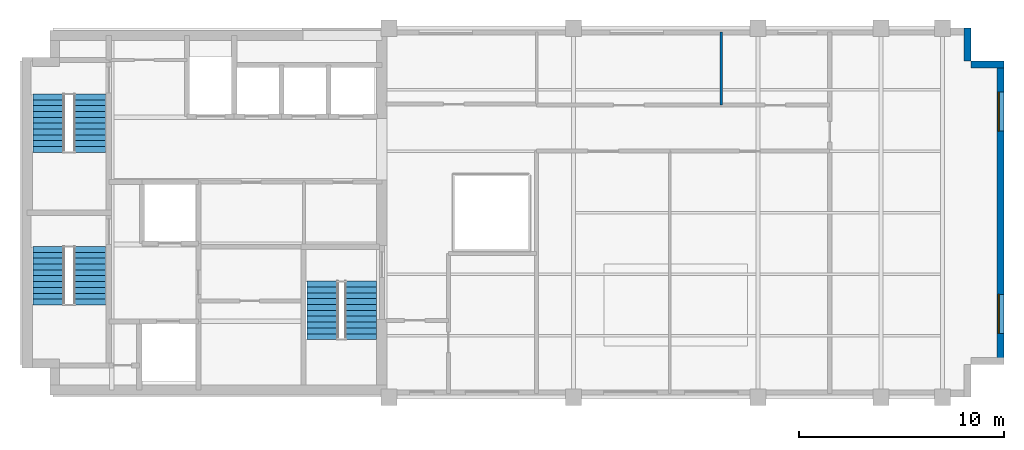
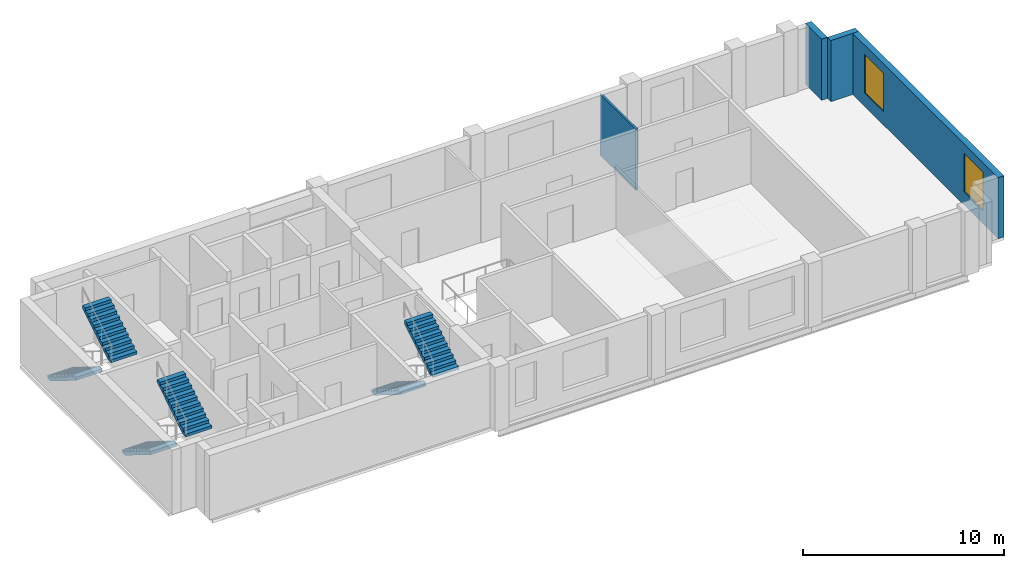
# One storey, part 4 of 5: 6 stair flights, 4 walls, 2 windows, 2 openings, 3 elements without a shape of their own.
"""IFC4 building model written with IfcOpenShell, lengths in metres."""

from ifc_helpers import new_model, si_unit, direction, frame, frame_2d, origin, place, context, subcontext, project, spatial, polyline, rectangle, outline, extrude, material, layer, layer_set, type_object, element, fill, aggregate, save


model = new_model("IFC4")

# Units and contexts
model_context = context("Model", 3, precision=1e-05, world=origin(), true_north=direction((0.0, 1.0)))
body_context = subcontext(model_context, "Body", "Model", "MODEL_VIEW")
ifc_project = project(units=[si_unit("LENGTHUNIT", "METRE"), si_unit("AREAUNIT", "SQUARE_METRE"), si_unit("VOLUMEUNIT", "CUBIC_METRE"), si_unit("PLANEANGLEUNIT", "RADIAN"), si_unit("MASSUNIT", "GRAM", prefix="KILO")], contexts=[model_context])

# Site, building, storey
site_placement = place(None, origin())
site = spatial("IfcSite", under=ifc_project, at=site_placement, CompositionType="ELEMENT")
building_placement = place(site_placement, origin())
building = spatial("IfcBuilding", under=site, at=building_placement, Name="Mawjdan Bourse Tower", CompositionType="ELEMENT")
storey_placement = place(building_placement, frame((0.0, 0.0, 278.10009765625)))
storey = spatial("IfcBuildingStorey", under=building, at=storey_placement, Name="L68", CompositionType="ELEMENT", Elevation=278.10009765625)

# Wall, openings, windows
ifc_material_1 = material(Name="Brick Masonry Buff", Category="masonry")
ifc_layer_1 = layer(ifc_material_1, 0.340087890625)
ifc_layer_set_1 = layer_set([ifc_layer_1], Name="Brick Masonry Buff")
wall_type_1 = type_object("IfcWallType", Name="WL-BRK-SPN-340", PredefinedType="STANDARD", material=ifc_layer_set_1)
wall_1_placement = place(storey_placement, frame((53.830078125, 4.60009765625, 0.0), z_axis=(0.0, 0.0, 1.0), x_axis=(0.0, 1.0, 0.0)))
wall_1 = element("IfcWall", 1, at=wall_1_placement, inside=storey, type_object=wall_type_1, Name="L68 Exterior Brick Wall 4", PredefinedType="STANDARD", context=body_context, shape_type="SweptSolid", body=[
    extrude(rectangle(XDim=14.7998046875, YDim=0.340087890625, at=frame_2d((7.39990234375, 0.0))), origin(), (0.0, 0.0, 1.0), 3.71484375),
])
opening_1_placement = place(wall_1_placement, frame((1.5166015625, 0.0, 0.800048828125)))
opening_1 = element("IfcOpeningElement", 2, at=opening_1_placement, cuts=wall_1, Name="Opening W-L68-02", PredefinedType="OPENING", context=body_context, shape_type="SweptSolid", body=[
    extrude(rectangle(XDim=1.89990234375, YDim=2.35009765625, at=frame_2d((0.949951171875, 1.175048828125))), frame((0.0, 0.18017578125, 0.0), z_axis=(0.0, -1.0, 0.0), x_axis=(1.0, 0.0, 0.0)), (0.0, 0.0, 1.0), 0.360107421875),
])
opening_2_placement = place(wall_1_placement, frame((11.38330078125, 0.0, 0.800048828125)))
opening_2 = element("IfcOpeningElement", 3, at=opening_2_placement, cuts=wall_1, Name="Opening W-L68-03", PredefinedType="OPENING", context=body_context, shape_type="SweptSolid", body=[
    extrude(rectangle(XDim=1.89990234375, YDim=2.35009765625, at=frame_2d((0.949951171875, 1.175048828125))), frame((0.0, 0.18017578125, 0.0), z_axis=(0.0, -1.0, 0.0), x_axis=(1.0, 0.0, 0.0)), (0.0, 0.0, 1.0), 0.360107421875),
])
ifc_material_2 = material(Name="Solar-Control Clear Double Glazing", Category="glass")
window_type = type_object("IfcWindowType", Name="WN-SMT-1900", PartitioningType="SINGLE_PANEL", PredefinedType="WINDOW", material=ifc_material_2)
window_1_placement = place(opening_1_placement, origin())
window_1 = element("IfcWindow", 4, at=window_1_placement, inside=storey, type_object=window_type, Name="L68 Deep-Set Masonry Window W-L68-02", OverallHeight=2.35009765625, OverallWidth=1.89990234375, PartitioningType="SINGLE_PANEL", PredefinedType="WINDOW", context=body_context, shape_type="SweptSolid", body=[
    extrude(rectangle(XDim=1.89990234375, YDim=2.35009765625, at=frame_2d((0.949951171875, 1.175048828125))), frame((0.0, 0.110107421875, 0.0), z_axis=(0.0, -1.0, 0.0), x_axis=(1.0, 0.0, 0.0)), (0.0, 0.0, 1.0), 0.06005859375),
])
fill(opening_1, window_1)
window_2_placement = place(opening_2_placement, origin())
window_2 = element("IfcWindow", 5, at=window_2_placement, inside=storey, type_object=window_type, Name="L68 Deep-Set Masonry Window W-L68-03", OverallHeight=2.35009765625, OverallWidth=1.89990234375, PartitioningType="SINGLE_PANEL", PredefinedType="WINDOW", context=body_context, shape_type="SweptSolid", body=[
    extrude(rectangle(XDim=1.89990234375, YDim=2.35009765625, at=frame_2d((0.949951171875, 1.175048828125))), frame((0.0, 0.110107421875, 0.0), z_axis=(0.0, -1.0, 0.0), x_axis=(1.0, 0.0, 0.0)), (0.0, 0.0, 1.0), 0.06005859375),
])
fill(opening_2, window_2)

# Walls
for number, where, z_axis, x_axis, name in (
    (6, (54.0, 19.22998046875, 0.0), (0.0, 0.0, 1.0), (-1.0, 0.0, 0.0), "L68 Exterior Brick Wall 5"),
    (7, (52.22998046875, 19.39990234375, 0.0), (0.0, 0.0, 1.0), (0.0, 1.0, 0.0), "L68 Exterior Brick Wall 6"),
):
    element("IfcWall", number, at=place(storey_placement, frame(where, z_axis=z_axis, x_axis=x_axis)), inside=storey, type_object=wall_type_1, Name=name, PredefinedType="STANDARD", context=body_context, shape_type="SweptSolid", body=[
        extrude(rectangle(XDim=1.60009765625, YDim=0.340087890625, at=frame_2d((0.800048828125, 0.0))), origin(), (0.0, 0.0, 1.0), 3.71484375),
    ])
ifc_material_3 = material(Name="Gypsum Partition")
ifc_layer_2 = layer(ifc_material_3, 0.125)
ifc_layer_set_2 = layer_set([ifc_layer_2], Name="Gypsum Partition")
wall_type_2 = type_object("IfcWallType", Name="WL-PRT-125", PredefinedType="PARTITIONING", material=ifc_layer_set_2)
wall_2_placement = place(storey_placement, frame((40.199951171875, 17.25, 0.0), z_axis=(0.0, 0.0, 1.0), x_axis=(0.0, 1.0, 0.0)))
element("IfcWall", 8, at=wall_2_placement, inside=storey, type_object=wall_type_2, Name="L68 General Counsel Office Partition", PredefinedType="PARTITIONING", context=body_context, shape_type="SweptSolid", body=[
    extrude(rectangle(XDim=3.570068359375, YDim=0.125, at=frame_2d((1.78515625, 0.0))), origin(), (0.0, 0.0, 1.0), 3.704833984375),
])

# Stair, stair flights
ifc_material_4 = material(Name="Concrete C50/60", Category="concrete")
stair_type = type_object("IfcStairType", Name="STR-CORE-1500", PredefinedType="HALF_TURN_STAIR", material=ifc_material_4)
stair_1_placement = place(storey_placement, origin())
stair_1 = element("IfcStair", 9, at=stair_1_placement, inside=storey, type_object=stair_type, Name="L68 Exit Stair 1 (Core South-West)", PredefinedType="HALF_TURN_STAIR")
stair_flight_type = type_object("IfcStairFlightType", Name="SFL-RC-1500", PredefinedType="STRAIGHT", material=ifc_material_4)
stair_flight_1_placement = place(storey_placement, frame((7.389892578125, 10.35009765625, 0.0), z_axis=(0.0, 0.0, 1.0), x_axis=(0.0, -1.0, 0.0)))
stair_flight_1 = element("IfcStairFlight", 10, at=stair_flight_1_placement, type_object=stair_flight_type, Name="ST1-L68 flight 1", NumberOfRisers=11, NumberOfTreads=10, PredefinedType="STRAIGHT", RiserHeight=0.177273, TreadLength=0.285, context=body_context, shape_type="SweptSolid", body=[
    extrude(outline(polyline([(0.0, 0.0), (0.0, 0.17724609375), (0.284912109375, 0.17724609375), (0.284912109375, 0.3544921875), (0.570068359375, 0.3544921875), (0.570068359375, 0.53173828125), (0.85498046875, 0.53173828125), (0.85498046875, 0.708984375), (1.139892578125, 0.708984375), (1.139892578125, 0.886474609375), (1.425048828125, 0.886474609375), (1.425048828125, 1.063720703125), (1.7099609375, 1.063720703125), (1.7099609375, 1.240966796875), (1.9951171875, 1.240966796875), (1.9951171875, 1.418212890625), (2.280029296875, 1.418212890625), (2.280029296875, 1.595458984375), (2.56494140625, 1.595458984375), (2.56494140625, 1.772705078125), (2.85009765625, 1.772705078125), (2.85009765625, 1.949951171875), (2.85009765625, 1.58447265625), (0.302734375, 0.0), (0.0, 0.0)])), frame((0.0, 0.75, 0.0), z_axis=(0.0, -1.0, 0.0), x_axis=(1.0, 0.0, 0.0)), (0.0, 0.0, 1.0), 1.5),
])
stair_flight_2_placement = place(storey_placement, frame((9.409912109375, 7.5, 1.949951171875), z_axis=(0.0, 0.0, 1.0), x_axis=(0.0, 1.0, 0.0)))
stair_flight_2 = element("IfcStairFlight", 11, at=stair_flight_2_placement, type_object=stair_flight_type, Name="ST1-L68 flight 2", NumberOfRisers=11, NumberOfTreads=10, PredefinedType="STRAIGHT", RiserHeight=0.177273, TreadLength=0.285, context=body_context, shape_type="SweptSolid", body=[
    extrude(outline(polyline([(0.0, 0.0), (0.0, 0.17724609375), (0.284912109375, 0.17724609375), (0.284912109375, 0.3544921875), (0.570068359375, 0.3544921875), (0.570068359375, 0.53173828125), (0.85498046875, 0.53173828125), (0.85498046875, 0.708984375), (1.139892578125, 0.708984375), (1.139892578125, 0.886474609375), (1.425048828125, 0.886474609375), (1.425048828125, 1.063720703125), (1.7099609375, 1.063720703125), (1.7099609375, 1.240966796875), (1.9951171875, 1.240966796875), (1.9951171875, 1.418212890625), (2.280029296875, 1.418212890625), (2.280029296875, 1.595458984375), (2.56494140625, 1.595458984375), (2.56494140625, 1.772705078125), (2.85009765625, 1.772705078125), (2.85009765625, 1.949951171875), (2.85009765625, 1.58447265625), (0.302734375, 0.0), (0.0, 0.0)])), frame((0.0, 0.75, 0.0), z_axis=(0.0, -1.0, 0.0), x_axis=(1.0, 0.0, 0.0)), (0.0, 0.0, 1.0), 1.5),
])
aggregate(stair_1, [stair_flight_1, stair_flight_2])

stair_2_placement = place(storey_placement, origin())
stair_2 = element("IfcStair", 12, at=stair_2_placement, inside=storey, type_object=stair_type, Name="L68 Exit Stair 2 (Core North-West)", PredefinedType="HALF_TURN_STAIR")
stair_flight_3_placement = place(storey_placement, frame((7.389892578125, 17.7900390625, 0.0), z_axis=(0.0, 0.0, 1.0), x_axis=(0.0, -1.0, 0.0)))
stair_flight_3 = element("IfcStairFlight", 13, at=stair_flight_3_placement, type_object=stair_flight_type, Name="ST2-L68 flight 1", NumberOfRisers=11, NumberOfTreads=10, PredefinedType="STRAIGHT", RiserHeight=0.177273, TreadLength=0.285, context=body_context, shape_type="SweptSolid", body=[
    extrude(outline(polyline([(0.0, 0.0), (0.0, 0.17724609375), (0.284912109375, 0.17724609375), (0.284912109375, 0.3544921875), (0.570068359375, 0.3544921875), (0.570068359375, 0.53173828125), (0.85498046875, 0.53173828125), (0.85498046875, 0.708984375), (1.139892578125, 0.708984375), (1.139892578125, 0.886474609375), (1.425048828125, 0.886474609375), (1.425048828125, 1.063720703125), (1.7099609375, 1.063720703125), (1.7099609375, 1.240966796875), (1.9951171875, 1.240966796875), (1.9951171875, 1.418212890625), (2.280029296875, 1.418212890625), (2.280029296875, 1.595458984375), (2.56494140625, 1.595458984375), (2.56494140625, 1.772705078125), (2.85009765625, 1.772705078125), (2.85009765625, 1.949951171875), (2.85009765625, 1.58447265625), (0.302734375, 0.0), (0.0, 0.0)])), frame((0.0, 0.75, 0.0), z_axis=(0.0, -1.0, 0.0), x_axis=(1.0, 0.0, 0.0)), (0.0, 0.0, 1.0), 1.5),
])
stair_flight_4_placement = place(storey_placement, frame((9.409912109375, 14.93994140625, 1.949951171875), z_axis=(0.0, 0.0, 1.0), x_axis=(0.0, 1.0, 0.0)))
stair_flight_4 = element("IfcStairFlight", 14, at=stair_flight_4_placement, type_object=stair_flight_type, Name="ST2-L68 flight 2", NumberOfRisers=11, NumberOfTreads=10, PredefinedType="STRAIGHT", RiserHeight=0.177273, TreadLength=0.285, context=body_context, shape_type="SweptSolid", body=[
    extrude(outline(polyline([(0.0, 0.0), (0.0, 0.17724609375), (0.284912109375, 0.17724609375), (0.284912109375, 0.3544921875), (0.570068359375, 0.3544921875), (0.570068359375, 0.53173828125), (0.85498046875, 0.53173828125), (0.85498046875, 0.708984375), (1.139892578125, 0.708984375), (1.139892578125, 0.886474609375), (1.425048828125, 0.886474609375), (1.425048828125, 1.063720703125), (1.7099609375, 1.063720703125), (1.7099609375, 1.240966796875), (1.9951171875, 1.240966796875), (1.9951171875, 1.418212890625), (2.280029296875, 1.418212890625), (2.280029296875, 1.595458984375), (2.56494140625, 1.595458984375), (2.56494140625, 1.772705078125), (2.85009765625, 1.772705078125), (2.85009765625, 1.949951171875), (2.85009765625, 1.58447265625), (0.302734375, 0.0), (0.0, 0.0)])), frame((0.0, 0.75, 0.0), z_axis=(0.0, -1.0, 0.0), x_axis=(1.0, 0.0, 0.0)), (0.0, 0.0, 1.0), 1.5),
])
aggregate(stair_2, [stair_flight_3, stair_flight_4])

stair_3_placement = place(storey_placement, origin())
stair_3 = element("IfcStair", 15, at=stair_3_placement, inside=storey, type_object=stair_type, Name="L68 Exit Stair 7 (Core South-East)", PredefinedType="HALF_TURN_STAIR")
stair_flight_5_placement = place(storey_placement, frame((20.739990234375, 8.659912109375, 0.0), z_axis=(0.0, 0.0, 1.0), x_axis=(0.0, -1.0, 0.0)))
stair_flight_5 = element("IfcStairFlight", 16, at=stair_flight_5_placement, type_object=stair_flight_type, Name="ST7-L68 flight 1", NumberOfRisers=11, NumberOfTreads=10, PredefinedType="STRAIGHT", RiserHeight=0.177273, TreadLength=0.285, context=body_context, shape_type="SweptSolid", body=[
    extrude(outline(polyline([(0.0, 0.0), (0.0, 0.17724609375), (0.284912109375, 0.17724609375), (0.284912109375, 0.3544921875), (0.570068359375, 0.3544921875), (0.570068359375, 0.53173828125), (0.85498046875, 0.53173828125), (0.85498046875, 0.708984375), (1.139892578125, 0.708984375), (1.139892578125, 0.886474609375), (1.425048828125, 0.886474609375), (1.425048828125, 1.063720703125), (1.7099609375, 1.063720703125), (1.7099609375, 1.240966796875), (1.9951171875, 1.240966796875), (1.9951171875, 1.418212890625), (2.280029296875, 1.418212890625), (2.280029296875, 1.595458984375), (2.56494140625, 1.595458984375), (2.56494140625, 1.772705078125), (2.85009765625, 1.772705078125), (2.85009765625, 1.949951171875), (2.85009765625, 1.58447265625), (0.302734375, 0.0), (0.0, 0.0)])), frame((0.0, 0.75, 0.0), z_axis=(0.0, -1.0, 0.0), x_axis=(1.0, 0.0, 0.0)), (0.0, 0.0, 1.0), 1.5),
])
stair_flight_6_placement = place(storey_placement, frame((22.6298828125, 5.81005859375, 1.949951171875), z_axis=(0.0, 0.0, 1.0), x_axis=(0.0, 1.0, 0.0)))
stair_flight_6 = element("IfcStairFlight", 17, at=stair_flight_6_placement, type_object=stair_flight_type, Name="ST7-L68 flight 2", NumberOfRisers=11, NumberOfTreads=10, PredefinedType="STRAIGHT", RiserHeight=0.177273, TreadLength=0.285, context=body_context, shape_type="SweptSolid", body=[
    extrude(outline(polyline([(0.0, 0.0), (0.0, 0.17724609375), (0.284912109375, 0.17724609375), (0.284912109375, 0.3544921875), (0.570068359375, 0.3544921875), (0.570068359375, 0.53173828125), (0.85498046875, 0.53173828125), (0.85498046875, 0.708984375), (1.139892578125, 0.708984375), (1.139892578125, 0.886474609375), (1.425048828125, 0.886474609375), (1.425048828125, 1.063720703125), (1.7099609375, 1.063720703125), (1.7099609375, 1.240966796875), (1.9951171875, 1.240966796875), (1.9951171875, 1.418212890625), (2.280029296875, 1.418212890625), (2.280029296875, 1.595458984375), (2.56494140625, 1.595458984375), (2.56494140625, 1.772705078125), (2.85009765625, 1.772705078125), (2.85009765625, 1.949951171875), (2.85009765625, 1.58447265625), (0.302734375, 0.0), (0.0, 0.0)])), frame((0.0, 0.75, 0.0), z_axis=(0.0, -1.0, 0.0), x_axis=(1.0, 0.0, 0.0)), (0.0, 0.0, 1.0), 1.5),
])
aggregate(stair_3, [stair_flight_5, stair_flight_6])

save(model, "model.ifc")
